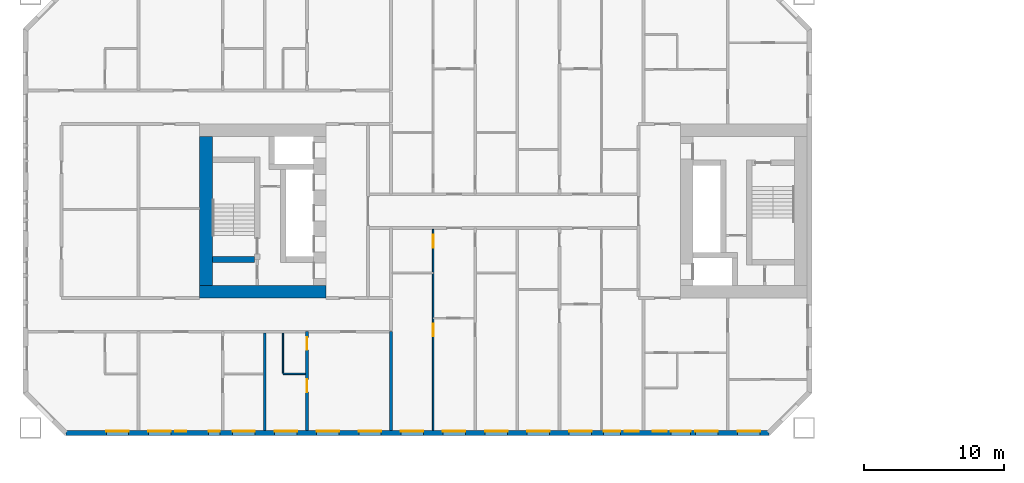
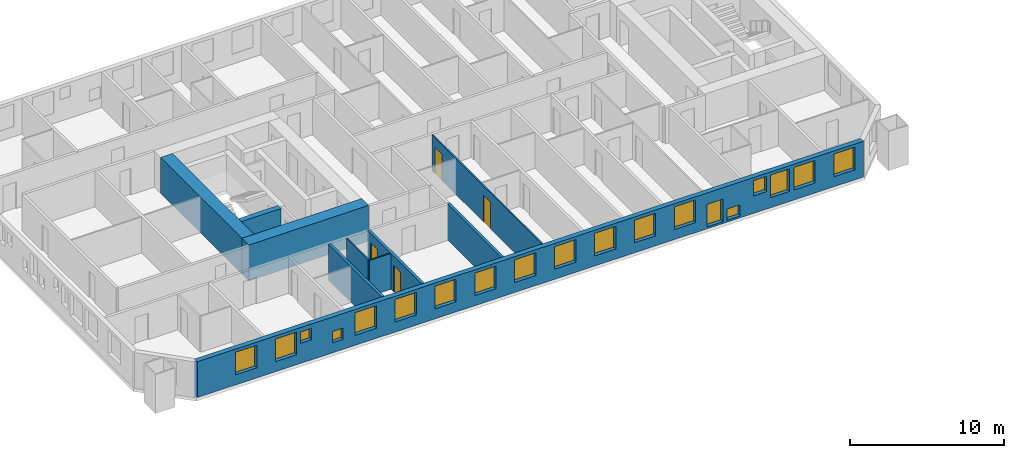
# One storey, part 3 of 17: 19 windows, 10 walls, 4 doors, 23 openings.
"""IFC4 building model written with IfcOpenShell, lengths in metres."""

import ifcopenshell
import ifcopenshell.guid

model = None  # the IFC model being written
_history = None  # IfcOwnerHistory: only IFC2X3 demands one
_inside = {}  # id of a spatial element -> (the spatial element, [elements in it])
_under = {}  # id of a project, library or spatial element -> (it, [spatial elements below it])
_declared = {}  # id of a project -> (the project, [libraries it declares])
_typed = {}  # id of a type object -> (the type object, [elements of that type])
_made_of = {}  # id of a material, layer set ... -> (it, [elements and type objects made of it])


def new_model(schema):
    """Start an empty IFC model of exactly this schema.

    Asked for "IFC4X3", IfcOpenShell would pick the latest addendum, in which some entities
    have other attributes; the version numbers below select the first issue.
    IFC2X3 requires an IfcOwnerHistory on every rooted entity: one is made here for all.
    """
    global model, _history
    if schema == "IFC4X3":
        model = ifcopenshell.file(schema_version=(4, 3, 0, 0))
    else:
        model = ifcopenshell.file(schema=schema)
    _inside.clear()
    _under.clear()
    _declared.clear()
    _typed.clear()
    _made_of.clear()
    _history = None
    if model.schema == "IFC2X3":
        org = make("IfcOrganization", Name="unknown")
        user = make(
            "IfcPersonAndOrganization",
            ThePerson=make("IfcPerson", FamilyName="unknown"),
            TheOrganization=org,
        )
        app = make(
            "IfcApplication",
            ApplicationDeveloper=org,
            Version="unknown",
            ApplicationFullName="unknown",
            ApplicationIdentifier="unknown",
        )
        _history = make(
            "IfcOwnerHistory",
            OwningUser=user,
            OwningApplication=app,
            ChangeAction="ADDED",
            CreationDate=0,
        )
    return model


def make(cls, **values):
    """One entity of the class cls with the attributes given. An attribute that is None is left unset."""
    return model.create_entity(
        cls, **{name: value for name, value in values.items() if value is not None}
    )


def rooted(cls, **values):
    """An entity with a GlobalId (a new one), such as an element, a storey or a relation."""
    return make(cls, GlobalId=ifcopenshell.guid.new(), OwnerHistory=_history, **values)


def si_unit(unit_type, name, prefix=None):
    """IfcSIUnit, for example si_unit("LENGTHUNIT", "METRE", prefix="MILLI")."""
    return make("IfcSIUnit", UnitType=unit_type, Prefix=prefix, Name=name)


def assignment(units):
    """IfcUnitAssignment: the units of a project."""
    return None if units is None else make("IfcUnitAssignment", Units=units)


def point(xyz):
    """IfcCartesianPoint."""
    return None if xyz is None else make("IfcCartesianPoint", Coordinates=xyz)


def direction(xyz):
    """IfcDirection."""
    return None if xyz is None else make("IfcDirection", DirectionRatios=xyz)


def frame(location, z_axis=None, x_axis=None):
    """IfcAxis2Placement3D, a coordinate frame: its origin and axes. An axis left out is left unset."""
    return make(
        "IfcAxis2Placement3D",
        Location=point(location),
        Axis=direction(z_axis),
        RefDirection=direction(x_axis),
    )


def frame_2d(location, x_axis=None):
    """IfcAxis2Placement2D, a coordinate frame in the plane: its origin and x axis."""
    return make(
        "IfcAxis2Placement2D", Location=point(location), RefDirection=direction(x_axis)
    )


def origin():
    """The frame at (0, 0, 0) with its axes left unset."""
    return frame((0.0, 0.0, 0.0))


def place(relative_to, where):
    """IfcLocalPlacement: puts the frame where relative to a parent placement (None: the world)."""
    return make(
        "IfcLocalPlacement", PlacementRelTo=relative_to, RelativePlacement=where
    )


def context(
    kind, dimensions, precision=None, world=None, true_north=None, identifier=None
):
    """IfcGeometricRepresentationContext, for example the 3D "Model" context."""
    return make(
        "IfcGeometricRepresentationContext",
        ContextIdentifier=identifier,
        ContextType=kind,
        CoordinateSpaceDimension=dimensions,
        Precision=precision,
        WorldCoordinateSystem=world,
        TrueNorth=true_north,
    )


def subcontext(parent, identifier, kind, view, scale=None):
    """IfcGeometricRepresentationSubContext, for example "Body" below "Model"."""
    return make(
        "IfcGeometricRepresentationSubContext",
        ContextIdentifier=identifier,
        ContextType=kind,
        ParentContext=parent,
        TargetScale=scale,
        TargetView=view,
    )


def project(units=None, contexts=None):
    """IfcProject with its units and contexts."""
    return rooted(
        "IfcProject",
        Name="project",
        RepresentationContexts=contexts,
        UnitsInContext=assignment(units),
    )


def spatial(cls, under=None, at=None, **own):
    """A site, building, storey or space (cls), placed at a placement, below another one or the project."""
    s = rooted(cls, ObjectPlacement=at, **own)
    if under is not None:
        _under.setdefault(under.id(), (under, []))[1].append(s)
    return s


def profile(cls, at=None, kind="AREA", **sizes):
    """A parametric profile (cls). Its sizes go by their IFC names, for example OverallWidth=200.0."""
    return make(cls, ProfileType=kind, Position=at, **sizes)


def rectangle(**sizes):
    """IfcRectangleProfileDef."""
    return profile("IfcRectangleProfileDef", **sizes)


def extrude(swept, where, along, depth):
    """IfcExtrudedAreaSolid: the profile swept, set in the frame where, extruded along a direction by depth."""
    return make(
        "IfcExtrudedAreaSolid",
        SweptArea=swept,
        Position=where,
        ExtrudedDirection=direction(along),
        Depth=depth,
    )


def shape(context_of_items, identifier, shape_type, items):
    """IfcShapeRepresentation: the items that make up one representation, for example the "Body"."""
    return make(
        "IfcShapeRepresentation",
        ContextOfItems=context_of_items,
        RepresentationIdentifier=identifier,
        RepresentationType=shape_type,
        Items=items,
    )


def material(Name=None, Category=None):
    """IfcMaterial."""
    return make("IfcMaterial", Name=Name, Category=Category)


def layer(
    of_material, thickness, ventilated=None, Name=None, Category=None, Priority=None
):
    """IfcMaterialLayer: one layer of a wall or slab, of a material (None: an air gap)."""
    return make(
        "IfcMaterialLayer",
        Material=of_material,
        LayerThickness=thickness,
        IsVentilated=ventilated,
        Name=Name,
        Category=Category,
        Priority=Priority,
    )


def layer_set(layers, Name=None):
    """IfcMaterialLayerSet."""
    return make("IfcMaterialLayerSet", MaterialLayers=layers, LayerSetName=Name)


def made_of(thing, what):
    """Note that an element or type object is made of a material, layer set ...; save() writes the relation."""
    if what is not None:
        _made_of.setdefault(what.id(), (what, []))[1].append(thing)
    return thing


def type_object(cls, material=None, **own):
    """A type object (cls), such as IfcWallType, which elements share."""
    return made_of(rooted(cls, **own), material)


def element(
    cls,
    number,
    at=None,
    inside=None,
    cuts=None,
    type_object=None,
    material=None,
    context=None,
    identifier="Body",
    shape_type=None,
    held_by="IfcProductDefinitionShape",
    body=None,
    shapes=None,
    **own,
):
    """One element of the class cls, such as IfcWall. Its Tag is "e" and its number.

    at: its placement. inside: the storey or other place that contains it. cuts: it is an
    opening in that element (IfcRelVoidsElement). A single representation is given by context,
    identifier, shape_type and body (its items); several are given by shapes. held_by: the class
    of the entity that holds the representations. save() writes the other relations.
    """
    e = rooted(cls, Tag="e%d" % number, ObjectPlacement=at, **own)
    if body is not None:
        shapes = [shape(context, identifier, shape_type, body)]
    if shapes is not None:
        e.Representation = make(held_by, Representations=shapes)
    if inside is not None:
        _inside.setdefault(inside.id(), (inside, []))[1].append(e)
    if cuts is not None:
        rooted(
            "IfcRelVoidsElement", RelatingBuildingElement=cuts, RelatedOpeningElement=e
        )
    if type_object is not None:
        _typed.setdefault(type_object.id(), (type_object, []))[1].append(e)
    return made_of(e, material)


def fill(opening, filler):
    """IfcRelFillsElement: the door or window that sits in an opening."""
    return rooted(
        "IfcRelFillsElement",
        RelatingOpeningElement=opening,
        RelatedBuildingElement=filler,
    )


def aggregate(whole, parts):
    """IfcRelAggregates: a whole, such as a stair, and the parts it consists of."""
    return rooted("IfcRelAggregates", RelatingObject=whole, RelatedObjects=parts)


def save(model, path):
    """Write the relations noted so far, then the file.

    IfcRelAggregates (storeys below a building ...), IfcRelContainedInSpatialStructure (elements
    in a storey), IfcRelDefinesByType, IfcRelAssociatesMaterial and IfcRelDeclares: one each for
    every whole, place, type object, material and project.
    """
    for whole, parts in _under.values():
        aggregate(whole, parts)
    for where, things in _inside.values():
        rooted(
            "IfcRelContainedInSpatialStructure",
            RelatedElements=things,
            RelatingStructure=where,
        )
    for kind, things in _typed.values():
        rooted("IfcRelDefinesByType", RelatedObjects=things, RelatingType=kind)
    for what, things in _made_of.values():
        rooted("IfcRelAssociatesMaterial", RelatedObjects=things, RelatingMaterial=what)
    for by, libraries in _declared.values():
        rooted("IfcRelDeclares", RelatingContext=by, RelatedDefinitions=libraries)
    model.write(path)


model = new_model("IFC4")

# Units and contexts
model_context = context("Model", 3, precision=1e-05, world=origin(), true_north=direction((0.0, 1.0)))
body_context = subcontext(model_context, "Body", "Model", "MODEL_VIEW")
ifc_project = project(units=[si_unit("LENGTHUNIT", "METRE"), si_unit("AREAUNIT", "SQUARE_METRE"), si_unit("VOLUMEUNIT", "CUBIC_METRE"), si_unit("PLANEANGLEUNIT", "RADIAN"), si_unit("MASSUNIT", "GRAM", prefix="KILO")], contexts=[model_context])

# Site, building, storey
site_placement = place(None, origin())
site = spatial("IfcSite", under=ifc_project, at=site_placement, CompositionType="ELEMENT")
building_placement = place(site_placement, origin())
building = spatial("IfcBuilding", under=site, at=building_placement, Name="Tuart Gate Housing", CompositionType="ELEMENT")
storey_placement = place(building_placement, frame((0.0, 0.0, 25.699951171875)))
storey = spatial("IfcBuildingStorey", under=building, at=storey_placement, Name="L06", CompositionType="ELEMENT", Elevation=25.699951171875)

# Wall, openings, windows
ifc_material_1 = material(Name="Brick", Category="masonry")
ifc_layer_1 = layer(ifc_material_1, 0.360107421875)
ifc_layer_set_1 = layer_set([ifc_layer_1], Name="Brick pier and spandrel wall 360")
wall_type_1 = type_object("IfcWallType", Name="Brick pier and spandrel wall 360", PredefinedType="STANDARD", material=ifc_layer_set_1)
wall_1_placement = place(storey_placement, frame((22.82470703125, 54.179931640625, 0.0), z_axis=(0.0, 0.0, 1.0), x_axis=(1.0, 0.0, 0.0)))
wall_1 = element("IfcWall", 1, at=wall_1_placement, inside=storey, type_object=wall_type_1, Name="External wall A-S L06", PredefinedType="STANDARD", context=body_context, shape_type="SweptSolid", body=[
    extrude(rectangle(XDim=50.100830078125, YDim=0.360107421875, at=frame_2d((25.05029296875, 0.0))), origin(), (0.0, 0.0, 1.0), 2.85009765625),
])
opening_1_placement = place(wall_1_placement, frame((2.87548828125, 0.0, 0.800048828125)))
opening_1 = element("IfcOpeningElement", 2, at=opening_1_placement, cuts=wall_1, Name="Opening W1", PredefinedType="OPENING", context=body_context, shape_type="SweptSolid", body=[
    extrude(rectangle(XDim=1.60009765625, YDim=1.800048828125, at=frame_2d((0.800048828125, 0.89990234375))), frame((0.0, 0.18994140625, 0.0), z_axis=(0.0, -1.0, 0.0), x_axis=(1.0, 0.0, 0.0)), (0.0, 0.0, 1.0), 0.380126953125),
])
opening_2_placement = place(wall_1_placement, frame((5.87548828125, 0.0, 0.800048828125)))
opening_2 = element("IfcOpeningElement", 3, at=opening_2_placement, cuts=wall_1, Name="Opening W1", PredefinedType="OPENING", context=body_context, shape_type="SweptSolid", body=[
    extrude(rectangle(XDim=1.60009765625, YDim=1.800048828125, at=frame_2d((0.800048828125, 0.89990234375))), frame((0.0, 0.18994140625, 0.0), z_axis=(0.0, -1.0, 0.0), x_axis=(1.0, 0.0, 0.0)), (0.0, 0.0, 1.0), 0.380126953125),
])
opening_3_placement = place(wall_1_placement, frame((7.775390625, 0.0, 1.60009765625)))
opening_3 = element("IfcOpeningElement", 4, at=opening_3_placement, cuts=wall_1, Name="Opening W1V", PredefinedType="OPENING", context=body_context, shape_type="SweptSolid", body=[
    extrude(rectangle(XDim=0.800048828125, YDim=0.89990234375, at=frame_2d((0.39990234375, 0.449951171875))), frame((0.0, 0.18994140625, 0.0), z_axis=(0.0, -1.0, 0.0), x_axis=(1.0, 0.0, 0.0)), (0.0, 0.0, 1.0), 0.380126953125),
])
opening_4_placement = place(wall_1_placement, frame((11.87548828125, 0.0, 0.800048828125)))
opening_4 = element("IfcOpeningElement", 5, at=opening_4_placement, cuts=wall_1, Name="Opening W1", PredefinedType="OPENING", context=body_context, shape_type="SweptSolid", body=[
    extrude(rectangle(XDim=1.60009765625, YDim=1.800048828125, at=frame_2d((0.800048828125, 0.89990234375))), frame((0.0, 0.18994140625, 0.0), z_axis=(0.0, -1.0, 0.0), x_axis=(1.0, 0.0, 0.0)), (0.0, 0.0, 1.0), 0.380126953125),
])
opening_5_placement = place(wall_1_placement, frame((14.87548828125, 0.0, 0.800048828125)))
opening_5 = element("IfcOpeningElement", 6, at=opening_5_placement, cuts=wall_1, Name="Opening W1", PredefinedType="OPENING", context=body_context, shape_type="SweptSolid", body=[
    extrude(rectangle(XDim=1.60009765625, YDim=1.800048828125, at=frame_2d((0.800048828125, 0.89990234375))), frame((0.0, 0.18994140625, 0.0), z_axis=(0.0, -1.0, 0.0), x_axis=(1.0, 0.0, 0.0)), (0.0, 0.0, 1.0), 0.380126953125),
])
opening_6_placement = place(wall_1_placement, frame((17.87548828125, 0.0, 0.800048828125)))
opening_6 = element("IfcOpeningElement", 7, at=opening_6_placement, cuts=wall_1, Name="Opening W1", PredefinedType="OPENING", context=body_context, shape_type="SweptSolid", body=[
    extrude(rectangle(XDim=1.60009765625, YDim=1.800048828125, at=frame_2d((0.800048828125, 0.89990234375))), frame((0.0, 0.18994140625, 0.0), z_axis=(0.0, -1.0, 0.0), x_axis=(1.0, 0.0, 0.0)), (0.0, 0.0, 1.0), 0.380126953125),
])
opening_7_placement = place(wall_1_placement, frame((20.87548828125, 0.0, 0.800048828125)))
opening_7 = element("IfcOpeningElement", 8, at=opening_7_placement, cuts=wall_1, Name="Opening W1", PredefinedType="OPENING", context=body_context, shape_type="SweptSolid", body=[
    extrude(rectangle(XDim=1.60009765625, YDim=1.800048828125, at=frame_2d((0.800048828125, 0.89990234375))), frame((0.0, 0.18994140625, 0.0), z_axis=(0.0, -1.0, 0.0), x_axis=(1.0, 0.0, 0.0)), (0.0, 0.0, 1.0), 0.380126953125),
])
opening_8_placement = place(wall_1_placement, frame((23.87548828125, 0.0, 0.800048828125)))
opening_8 = element("IfcOpeningElement", 9, at=opening_8_placement, cuts=wall_1, Name="Opening W1", PredefinedType="OPENING", context=body_context, shape_type="SweptSolid", body=[
    extrude(rectangle(XDim=1.60009765625, YDim=1.800048828125, at=frame_2d((0.800048828125, 0.89990234375))), frame((0.0, 0.18994140625, 0.0), z_axis=(0.0, -1.0, 0.0), x_axis=(1.0, 0.0, 0.0)), (0.0, 0.0, 1.0), 0.380126953125),
])
opening_9_placement = place(wall_1_placement, frame((26.87548828125, 0.0, 0.800048828125)))
opening_9 = element("IfcOpeningElement", 10, at=opening_9_placement, cuts=wall_1, Name="Opening W1", PredefinedType="OPENING", context=body_context, shape_type="SweptSolid", body=[
    extrude(rectangle(XDim=1.60009765625, YDim=1.800048828125, at=frame_2d((0.800048828125, 0.89990234375))), frame((0.0, 0.18994140625, 0.0), z_axis=(0.0, -1.0, 0.0), x_axis=(1.0, 0.0, 0.0)), (0.0, 0.0, 1.0), 0.380126953125),
])
opening_10_placement = place(wall_1_placement, frame((29.87548828125, 0.0, 0.800048828125)))
opening_10 = element("IfcOpeningElement", 11, at=opening_10_placement, cuts=wall_1, Name="Opening W1", PredefinedType="OPENING", context=body_context, shape_type="SweptSolid", body=[
    extrude(rectangle(XDim=1.60009765625, YDim=1.800048828125, at=frame_2d((0.800048828125, 0.89990234375))), frame((0.0, 0.18994140625, 0.0), z_axis=(0.0, -1.0, 0.0), x_axis=(1.0, 0.0, 0.0)), (0.0, 0.0, 1.0), 0.380126953125),
])
opening_11_placement = place(wall_1_placement, frame((32.87548828125, 0.0, 0.800048828125)))
opening_11 = element("IfcOpeningElement", 12, at=opening_11_placement, cuts=wall_1, Name="Opening W1", PredefinedType="OPENING", context=body_context, shape_type="SweptSolid", body=[
    extrude(rectangle(XDim=1.60009765625, YDim=1.800048828125, at=frame_2d((0.800048828125, 0.89990234375))), frame((0.0, 0.18994140625, 0.0), z_axis=(0.0, -1.0, 0.0), x_axis=(1.0, 0.0, 0.0)), (0.0, 0.0, 1.0), 0.380126953125),
])
opening_12_placement = place(wall_1_placement, frame((35.87548828125, 0.0, 0.800048828125)))
opening_12 = element("IfcOpeningElement", 13, at=opening_12_placement, cuts=wall_1, Name="Opening W1", PredefinedType="OPENING", context=body_context, shape_type="SweptSolid", body=[
    extrude(rectangle(XDim=1.60009765625, YDim=1.800048828125, at=frame_2d((0.800048828125, 0.89990234375))), frame((0.0, 0.18994140625, 0.0), z_axis=(0.0, -1.0, 0.0), x_axis=(1.0, 0.0, 0.0)), (0.0, 0.0, 1.0), 0.380126953125),
])
opening_13_placement = place(wall_1_placement, frame((38.325439453125, 0.0, 0.14990234375)))
opening_13 = element("IfcOpeningElement", 14, at=opening_13_placement, cuts=wall_1, Name="Opening W1B", PredefinedType="OPENING", context=body_context, shape_type="SweptSolid", body=[
    extrude(rectangle(XDim=1.199951171875, YDim=1.800048828125, at=frame_2d((0.60009765625, 0.89990234375))), frame((0.0, 0.18994140625, 0.0), z_axis=(0.0, -1.0, 0.0), x_axis=(1.0, 0.0, 0.0)), (0.0, 0.0, 1.0), 0.380126953125),
])
opening_14_placement = place(wall_1_placement, frame((41.825439453125, 0.0, 1.39990234375)))
opening_14 = element("IfcOpeningElement", 15, at=opening_14_placement, cuts=wall_1, Name="Opening W1O", PredefinedType="OPENING", context=body_context, shape_type="SweptSolid", body=[
    extrude(rectangle(XDim=1.0, YDim=1.199951171875, at=frame_2d((0.5, 0.60009765625))), frame((0.0, 0.18994140625, 0.0), z_axis=(0.0, -1.0, 0.0), x_axis=(1.0, 0.0, 0.0)), (0.0, 0.0, 1.0), 0.380126953125),
])
opening_15_placement = place(wall_1_placement, frame((44.87548828125, 0.0, 0.800048828125)))
opening_15 = element("IfcOpeningElement", 16, at=opening_15_placement, cuts=wall_1, Name="Opening W1", PredefinedType="OPENING", context=body_context, shape_type="SweptSolid", body=[
    extrude(rectangle(XDim=1.60009765625, YDim=1.800048828125, at=frame_2d((0.800048828125, 0.89990234375))), frame((0.0, 0.18994140625, 0.0), z_axis=(0.0, -1.0, 0.0), x_axis=(1.0, 0.0, 0.0)), (0.0, 0.0, 1.0), 0.380126953125),
])
opening_16_placement = place(wall_1_placement, frame((47.87548828125, 0.0, 0.800048828125)))
opening_16 = element("IfcOpeningElement", 17, at=opening_16_placement, cuts=wall_1, Name="Opening W1", PredefinedType="OPENING", context=body_context, shape_type="SweptSolid", body=[
    extrude(rectangle(XDim=1.60009765625, YDim=1.800048828125, at=frame_2d((0.800048828125, 0.89990234375))), frame((0.0, 0.18994140625, 0.0), z_axis=(0.0, -1.0, 0.0), x_axis=(1.0, 0.0, 0.0)), (0.0, 0.0, 1.0), 0.380126953125),
])
opening_17_placement = place(wall_1_placement, frame((10.17529296875, 0.0, 0.800048828125)))
opening_17 = element("IfcOpeningElement", 18, at=opening_17_placement, cuts=wall_1, Name="Opening W1V", PredefinedType="OPENING", context=body_context, shape_type="SweptSolid", body=[
    extrude(rectangle(XDim=0.800048828125, YDim=0.89990234375, at=frame_2d((0.39990234375, 0.449951171875))), frame((0.0, 0.18994140625, 0.0), z_axis=(0.0, -1.0, 0.0), x_axis=(1.0, 0.0, 0.0)), (0.0, 0.0, 1.0), 0.380126953125),
])
opening_18_placement = place(wall_1_placement, frame((39.825439453125, 0.0, 0.14990234375)))
opening_18 = element("IfcOpeningElement", 19, at=opening_18_placement, cuts=wall_1, Name="Opening W1U", PredefinedType="OPENING", context=body_context, shape_type="SweptSolid", body=[
    extrude(rectangle(XDim=1.0, YDim=0.89990234375, at=frame_2d((0.5, 0.449951171875))), frame((0.0, 0.18994140625, 0.0), z_axis=(0.0, -1.0, 0.0), x_axis=(1.0, 0.0, 0.0)), (0.0, 0.0, 1.0), 0.380126953125),
])
opening_19_placement = place(wall_1_placement, frame((43.12548828125, 0.0, 0.800048828125)))
opening_19 = element("IfcOpeningElement", 20, at=opening_19_placement, cuts=wall_1, Name="Opening W1A", PredefinedType="OPENING", context=body_context, shape_type="SweptSolid", body=[
    extrude(rectangle(XDim=1.39990234375, YDim=1.800048828125, at=frame_2d((0.699951171875, 0.89990234375))), frame((0.0, 0.18994140625, 0.0), z_axis=(0.0, -1.0, 0.0), x_axis=(1.0, 0.0, 0.0)), (0.0, 0.0, 1.0), 0.380126953125),
])
ifc_material_2 = material(Name="Aluminium frame with clear glass", Category="aluminium")
window_type_1 = type_object("IfcWindowType", Name="Punched window 1000 x 1200", PartitioningType="SINGLE_PANEL", PredefinedType="WINDOW", material=ifc_material_2)
window_1_placement = place(opening_14_placement, origin())
window_1 = element("IfcWindow", 21, at=window_1_placement, inside=storey, type_object=window_type_1, Name="Window W1O", OverallHeight=1.199951171875, OverallWidth=1.0, PartitioningType="SINGLE_PANEL", PredefinedType="WINDOW", context=body_context, shape_type="SweptSolid", body=[
    extrude(rectangle(XDim=1.0, YDim=1.199951171875, at=frame_2d((0.5, 0.60009765625))), frame((0.0, 0.150146484375, 0.0), z_axis=(0.0, -1.0, 0.0), x_axis=(1.0, 0.0, 0.0)), (0.0, 0.0, 1.0), 0.06005859375),
])
fill(opening_14, window_1)
ifc_material_3 = material(Name="Aluminium frame with clear glass", Category="aluminium")
window_type_2 = type_object("IfcWindowType", Name="Punched window 1000 x 900", PartitioningType="SINGLE_PANEL", PredefinedType="WINDOW", material=ifc_material_3)
window_2_placement = place(opening_18_placement, origin())
window_2 = element("IfcWindow", 22, at=window_2_placement, inside=storey, type_object=window_type_2, Name="Window W1U", OverallHeight=0.89990234375, OverallWidth=1.0, PartitioningType="SINGLE_PANEL", PredefinedType="WINDOW", context=body_context, shape_type="SweptSolid", body=[
    extrude(rectangle(XDim=1.0, YDim=0.89990234375, at=frame_2d((0.5, 0.449951171875))), frame((0.0, 0.150146484375, 0.0), z_axis=(0.0, -1.0, 0.0), x_axis=(1.0, 0.0, 0.0)), (0.0, 0.0, 1.0), 0.06005859375),
])
fill(opening_18, window_2)
ifc_material_4 = material(Name="Aluminium frame with clear glass", Category="aluminium")
window_type_3 = type_object("IfcWindowType", Name="Punched window 1200 x 1800", PartitioningType="SINGLE_PANEL", PredefinedType="WINDOW", material=ifc_material_4)
window_3_placement = place(opening_13_placement, origin())
window_3 = element("IfcWindow", 23, at=window_3_placement, inside=storey, type_object=window_type_3, Name="Window W1B", OverallHeight=1.800048828125, OverallWidth=1.199951171875, PartitioningType="SINGLE_PANEL", PredefinedType="WINDOW", context=body_context, shape_type="SweptSolid", body=[
    extrude(rectangle(XDim=1.199951171875, YDim=1.800048828125, at=frame_2d((0.60009765625, 0.89990234375))), frame((0.0, 0.150146484375, 0.0), z_axis=(0.0, -1.0, 0.0), x_axis=(1.0, 0.0, 0.0)), (0.0, 0.0, 1.0), 0.06005859375),
])
fill(opening_13, window_3)
ifc_material_5 = material(Name="Aluminium frame with clear glass", Category="aluminium")
window_type_4 = type_object("IfcWindowType", Name="Punched window 1400 x 1800", PartitioningType="SINGLE_PANEL", PredefinedType="WINDOW", material=ifc_material_5)
window_4_placement = place(opening_19_placement, origin())
window_4 = element("IfcWindow", 24, at=window_4_placement, inside=storey, type_object=window_type_4, Name="Window W1A", OverallHeight=1.800048828125, OverallWidth=1.39990234375, PartitioningType="SINGLE_PANEL", PredefinedType="WINDOW", context=body_context, shape_type="SweptSolid", body=[
    extrude(rectangle(XDim=1.39990234375, YDim=1.800048828125, at=frame_2d((0.699951171875, 0.89990234375))), frame((0.0, 0.150146484375, 0.0), z_axis=(0.0, -1.0, 0.0), x_axis=(1.0, 0.0, 0.0)), (0.0, 0.0, 1.0), 0.06005859375),
])
fill(opening_19, window_4)
ifc_material_6 = material(Name="Aluminium frame with clear glass", Category="aluminium")
window_type_5 = type_object("IfcWindowType", Name="Punched window 1600 x 1800", PartitioningType="SINGLE_PANEL", PredefinedType="WINDOW", material=ifc_material_6)
window_5_placement = place(opening_1_placement, origin())
window_5 = element("IfcWindow", 25, at=window_5_placement, inside=storey, type_object=window_type_5, Name="Window W1", OverallHeight=1.800048828125, OverallWidth=1.60009765625, PartitioningType="SINGLE_PANEL", PredefinedType="WINDOW", context=body_context, shape_type="SweptSolid", body=[
    extrude(rectangle(XDim=1.60009765625, YDim=1.800048828125, at=frame_2d((0.800048828125, 0.89990234375))), frame((0.0, 0.150146484375, 0.0), z_axis=(0.0, -1.0, 0.0), x_axis=(1.0, 0.0, 0.0)), (0.0, 0.0, 1.0), 0.06005859375),
])
fill(opening_1, window_5)
window_6_placement = place(opening_2_placement, origin())
window_6 = element("IfcWindow", 26, at=window_6_placement, inside=storey, type_object=window_type_5, Name="Window W1", OverallHeight=1.800048828125, OverallWidth=1.60009765625, PartitioningType="SINGLE_PANEL", PredefinedType="WINDOW", context=body_context, shape_type="SweptSolid", body=[
    extrude(rectangle(XDim=1.60009765625, YDim=1.800048828125, at=frame_2d((0.800048828125, 0.89990234375))), frame((0.0, 0.150146484375, 0.0), z_axis=(0.0, -1.0, 0.0), x_axis=(1.0, 0.0, 0.0)), (0.0, 0.0, 1.0), 0.06005859375),
])
fill(opening_2, window_6)
window_7_placement = place(opening_4_placement, origin())
window_7 = element("IfcWindow", 27, at=window_7_placement, inside=storey, type_object=window_type_5, Name="Window W1", OverallHeight=1.800048828125, OverallWidth=1.60009765625, PartitioningType="SINGLE_PANEL", PredefinedType="WINDOW", context=body_context, shape_type="SweptSolid", body=[
    extrude(rectangle(XDim=1.60009765625, YDim=1.800048828125, at=frame_2d((0.800048828125, 0.89990234375))), frame((0.0, 0.150146484375, 0.0), z_axis=(0.0, -1.0, 0.0), x_axis=(1.0, 0.0, 0.0)), (0.0, 0.0, 1.0), 0.06005859375),
])
fill(opening_4, window_7)
window_8_placement = place(opening_5_placement, origin())
window_8 = element("IfcWindow", 28, at=window_8_placement, inside=storey, type_object=window_type_5, Name="Window W1", OverallHeight=1.800048828125, OverallWidth=1.60009765625, PartitioningType="SINGLE_PANEL", PredefinedType="WINDOW", context=body_context, shape_type="SweptSolid", body=[
    extrude(rectangle(XDim=1.60009765625, YDim=1.800048828125, at=frame_2d((0.800048828125, 0.89990234375))), frame((0.0, 0.150146484375, 0.0), z_axis=(0.0, -1.0, 0.0), x_axis=(1.0, 0.0, 0.0)), (0.0, 0.0, 1.0), 0.06005859375),
])
fill(opening_5, window_8)
window_9_placement = place(opening_6_placement, origin())
window_9 = element("IfcWindow", 29, at=window_9_placement, inside=storey, type_object=window_type_5, Name="Window W1", OverallHeight=1.800048828125, OverallWidth=1.60009765625, PartitioningType="SINGLE_PANEL", PredefinedType="WINDOW", context=body_context, shape_type="SweptSolid", body=[
    extrude(rectangle(XDim=1.60009765625, YDim=1.800048828125, at=frame_2d((0.800048828125, 0.89990234375))), frame((0.0, 0.150146484375, 0.0), z_axis=(0.0, -1.0, 0.0), x_axis=(1.0, 0.0, 0.0)), (0.0, 0.0, 1.0), 0.06005859375),
])
fill(opening_6, window_9)
window_10_placement = place(opening_7_placement, origin())
window_10 = element("IfcWindow", 30, at=window_10_placement, inside=storey, type_object=window_type_5, Name="Window W1", OverallHeight=1.800048828125, OverallWidth=1.60009765625, PartitioningType="SINGLE_PANEL", PredefinedType="WINDOW", context=body_context, shape_type="SweptSolid", body=[
    extrude(rectangle(XDim=1.60009765625, YDim=1.800048828125, at=frame_2d((0.800048828125, 0.89990234375))), frame((0.0, 0.150146484375, 0.0), z_axis=(0.0, -1.0, 0.0), x_axis=(1.0, 0.0, 0.0)), (0.0, 0.0, 1.0), 0.06005859375),
])
fill(opening_7, window_10)
window_11_placement = place(opening_8_placement, origin())
window_11 = element("IfcWindow", 31, at=window_11_placement, inside=storey, type_object=window_type_5, Name="Window W1", OverallHeight=1.800048828125, OverallWidth=1.60009765625, PartitioningType="SINGLE_PANEL", PredefinedType="WINDOW", context=body_context, shape_type="SweptSolid", body=[
    extrude(rectangle(XDim=1.60009765625, YDim=1.800048828125, at=frame_2d((0.800048828125, 0.89990234375))), frame((0.0, 0.150146484375, 0.0), z_axis=(0.0, -1.0, 0.0), x_axis=(1.0, 0.0, 0.0)), (0.0, 0.0, 1.0), 0.06005859375),
])
fill(opening_8, window_11)
window_12_placement = place(opening_9_placement, origin())
window_12 = element("IfcWindow", 32, at=window_12_placement, inside=storey, type_object=window_type_5, Name="Window W1", OverallHeight=1.800048828125, OverallWidth=1.60009765625, PartitioningType="SINGLE_PANEL", PredefinedType="WINDOW", context=body_context, shape_type="SweptSolid", body=[
    extrude(rectangle(XDim=1.60009765625, YDim=1.800048828125, at=frame_2d((0.800048828125, 0.89990234375))), frame((0.0, 0.150146484375, 0.0), z_axis=(0.0, -1.0, 0.0), x_axis=(1.0, 0.0, 0.0)), (0.0, 0.0, 1.0), 0.06005859375),
])
fill(opening_9, window_12)
window_13_placement = place(opening_10_placement, origin())
window_13 = element("IfcWindow", 33, at=window_13_placement, inside=storey, type_object=window_type_5, Name="Window W1", OverallHeight=1.800048828125, OverallWidth=1.60009765625, PartitioningType="SINGLE_PANEL", PredefinedType="WINDOW", context=body_context, shape_type="SweptSolid", body=[
    extrude(rectangle(XDim=1.60009765625, YDim=1.800048828125, at=frame_2d((0.800048828125, 0.89990234375))), frame((0.0, 0.150146484375, 0.0), z_axis=(0.0, -1.0, 0.0), x_axis=(1.0, 0.0, 0.0)), (0.0, 0.0, 1.0), 0.06005859375),
])
fill(opening_10, window_13)
window_14_placement = place(opening_11_placement, origin())
window_14 = element("IfcWindow", 34, at=window_14_placement, inside=storey, type_object=window_type_5, Name="Window W1", OverallHeight=1.800048828125, OverallWidth=1.60009765625, PartitioningType="SINGLE_PANEL", PredefinedType="WINDOW", context=body_context, shape_type="SweptSolid", body=[
    extrude(rectangle(XDim=1.60009765625, YDim=1.800048828125, at=frame_2d((0.800048828125, 0.89990234375))), frame((0.0, 0.150146484375, 0.0), z_axis=(0.0, -1.0, 0.0), x_axis=(1.0, 0.0, 0.0)), (0.0, 0.0, 1.0), 0.06005859375),
])
fill(opening_11, window_14)
window_15_placement = place(opening_12_placement, origin())
window_15 = element("IfcWindow", 35, at=window_15_placement, inside=storey, type_object=window_type_5, Name="Window W1", OverallHeight=1.800048828125, OverallWidth=1.60009765625, PartitioningType="SINGLE_PANEL", PredefinedType="WINDOW", context=body_context, shape_type="SweptSolid", body=[
    extrude(rectangle(XDim=1.60009765625, YDim=1.800048828125, at=frame_2d((0.800048828125, 0.89990234375))), frame((0.0, 0.150146484375, 0.0), z_axis=(0.0, -1.0, 0.0), x_axis=(1.0, 0.0, 0.0)), (0.0, 0.0, 1.0), 0.06005859375),
])
fill(opening_12, window_15)
window_16_placement = place(opening_15_placement, origin())
window_16 = element("IfcWindow", 36, at=window_16_placement, inside=storey, type_object=window_type_5, Name="Window W1", OverallHeight=1.800048828125, OverallWidth=1.60009765625, PartitioningType="SINGLE_PANEL", PredefinedType="WINDOW", context=body_context, shape_type="SweptSolid", body=[
    extrude(rectangle(XDim=1.60009765625, YDim=1.800048828125, at=frame_2d((0.800048828125, 0.89990234375))), frame((0.0, 0.150146484375, 0.0), z_axis=(0.0, -1.0, 0.0), x_axis=(1.0, 0.0, 0.0)), (0.0, 0.0, 1.0), 0.06005859375),
])
fill(opening_15, window_16)
window_17_placement = place(opening_16_placement, origin())
window_17 = element("IfcWindow", 37, at=window_17_placement, inside=storey, type_object=window_type_5, Name="Window W1", OverallHeight=1.800048828125, OverallWidth=1.60009765625, PartitioningType="SINGLE_PANEL", PredefinedType="WINDOW", context=body_context, shape_type="SweptSolid", body=[
    extrude(rectangle(XDim=1.60009765625, YDim=1.800048828125, at=frame_2d((0.800048828125, 0.89990234375))), frame((0.0, 0.150146484375, 0.0), z_axis=(0.0, -1.0, 0.0), x_axis=(1.0, 0.0, 0.0)), (0.0, 0.0, 1.0), 0.06005859375),
])
fill(opening_16, window_17)
ifc_material_7 = material(Name="Aluminium frame with clear glass", Category="aluminium")
window_type_6 = type_object("IfcWindowType", Name="Punched window 800 x 900", PartitioningType="SINGLE_PANEL", PredefinedType="WINDOW", material=ifc_material_7)
window_18_placement = place(opening_3_placement, origin())
window_18 = element("IfcWindow", 38, at=window_18_placement, inside=storey, type_object=window_type_6, Name="Window W1V", OverallHeight=0.89990234375, OverallWidth=0.800048828125, PartitioningType="SINGLE_PANEL", PredefinedType="WINDOW", context=body_context, shape_type="SweptSolid", body=[
    extrude(rectangle(XDim=0.800048828125, YDim=0.89990234375, at=frame_2d((0.39990234375, 0.449951171875))), frame((0.0, 0.150146484375, 0.0), z_axis=(0.0, -1.0, 0.0), x_axis=(1.0, 0.0, 0.0)), (0.0, 0.0, 1.0), 0.06005859375),
])
fill(opening_3, window_18)
window_19_placement = place(opening_17_placement, origin())
window_19 = element("IfcWindow", 39, at=window_19_placement, inside=storey, type_object=window_type_6, Name="Window W1V", OverallHeight=0.89990234375, OverallWidth=0.800048828125, PartitioningType="SINGLE_PANEL", PredefinedType="WINDOW", context=body_context, shape_type="SweptSolid", body=[
    extrude(rectangle(XDim=0.800048828125, YDim=0.89990234375, at=frame_2d((0.39990234375, 0.449951171875))), frame((0.0, 0.150146484375, 0.0), z_axis=(0.0, -1.0, 0.0), x_axis=(1.0, 0.0, 0.0)), (0.0, 0.0, 1.0), 0.06005859375),
])
fill(opening_17, window_19)

# Walls
ifc_material_8 = material(Name="Concrete C60", Category="concrete")
ifc_layer_2 = layer(ifc_material_8, 0.39990234375)
ifc_layer_set_2 = layer_set([ifc_layer_2], Name="Core wall 400 C60")
wall_type_2 = type_object("IfcWallType", Name="Core wall 400 C60", PredefinedType="SHEAR", material=ifc_layer_set_2)
wall_2_placement = place(storey_placement, frame((36.260009765625, 66.550048828125, 0.0), z_axis=(0.0, 0.0, 1.0), x_axis=(-1.0, 0.0, 0.0)))
element("IfcWall", 40, at=wall_2_placement, inside=storey, type_object=wall_type_2, Name="Core wall AK.5", PredefinedType="SHEAR", context=body_context, shape_type="SweptSolid", body=[
    extrude(rectangle(XDim=3.0, YDim=0.39990234375, at=frame_2d((1.5, 0.0))), origin(), (0.0, 0.0, 1.0), 2.85009765625),
])
ifc_material_9 = material(Name="Concrete C60", Category="concrete")
ifc_layer_3 = layer(ifc_material_9, 0.89990234375)
ifc_layer_set_3 = layer_set([ifc_layer_3], Name="Core wall 900 C60")
wall_type_3 = type_object("IfcWallType", Name="Core wall 900 C60", PredefinedType="SHEAR", material=ifc_layer_set_3)
wall_3_placement = place(storey_placement, frame((32.81005859375, 75.300048828125, 0.0), z_axis=(0.0, 0.0, 1.0), x_axis=(0.0, -1.0, 0.0)))
element("IfcWall", 41, at=wall_3_placement, inside=storey, type_object=wall_type_3, Name="Core wall AK back", PredefinedType="SHEAR", context=body_context, shape_type="SweptSolid", body=[
    extrude(rectangle(XDim=10.60009765625, YDim=0.89990234375, at=frame_2d((5.300048828125, 0.0))), origin(), (0.0, 0.0, 1.0), 2.85009765625),
])
wall_4_placement = place(storey_placement, frame((41.360107421875, 64.25, 0.0), z_axis=(0.0, 0.0, 1.0), x_axis=(-1.0, 0.0, 0.0)))
element("IfcWall", 42, at=wall_4_placement, inside=storey, type_object=wall_type_3, Name="Core wall AK north", PredefinedType="SHEAR", context=body_context, shape_type="SweptSolid", body=[
    extrude(rectangle(XDim=9.0, YDim=0.89990234375, at=frame_2d((4.5, 0.0))), origin(), (0.0, 0.0, 1.0), 2.85009765625),
])
ifc_material_10 = material(Name="Gypsum board on steel studs", Category="steel")
ifc_layer_4 = layer(ifc_material_10, 0.10009765625)
ifc_layer_set_4 = layer_set([ifc_layer_4], Name="Partition 100")
wall_type_4 = type_object("IfcWallType", Name="Partition 100", PredefinedType="PARTITIONING", material=ifc_layer_set_4)
wall_5_placement = place(storey_placement, frame((38.300048828125, 58.39990234375, 0.0), z_axis=(0.0, 0.0, 1.0), x_axis=(1.0, 0.0, 0.0)))
element("IfcWall", 43, at=wall_5_placement, inside=storey, type_object=wall_type_4, Name="Partition 100", PredefinedType="PARTITIONING", context=body_context, shape_type="SweptSolid", body=[
    extrude(rectangle(XDim=1.599853515625, YDim=0.10009765625, at=frame_2d((0.7998046875, 0.0))), origin(), (0.0, 0.0, 1.0), 2.85009765625),
])
wall_6_placement = place(storey_placement, frame((38.300048828125, 58.449951171875, 0.0), z_axis=(0.0, 0.0, 1.0), x_axis=(0.0, 1.0, 0.0)))
element("IfcWall", 44, at=wall_6_placement, inside=storey, type_object=wall_type_4, Name="Partition 100", PredefinedType="PARTITIONING", context=body_context, shape_type="SweptSolid", body=[
    extrude(rectangle(XDim=2.85009765625, YDim=0.10009765625, at=frame_2d((1.425048828125, 0.0))), origin(), (0.0, 0.0, 1.0), 2.85009765625),
])

# Wall, openings, doors
wall_7_placement = place(storey_placement, frame((49.0, 54.360107421875, 0.0), z_axis=(0.0, 0.0, 1.0), x_axis=(0.0, 1.0, 0.0)))
wall_7 = element("IfcWall", 45, at=wall_7_placement, inside=storey, type_object=wall_type_4, Name="Partition 100", PredefinedType="PARTITIONING", context=body_context, shape_type="SweptSolid", body=[
    extrude(rectangle(XDim=14.33984375, YDim=0.10009765625, at=frame_2d((7.169921875, 0.0))), origin(), (0.0, 0.0, 1.0), 2.85009765625),
])
opening_20_placement = place(wall_7_placement, frame((6.699951171875, 0.0, 0.0)))
opening_20 = element("IfcOpeningElement", 46, at=opening_20_placement, cuts=wall_7, Name="Opening D394", PredefinedType="OPENING", context=body_context, shape_type="SweptSolid", body=[
    extrude(rectangle(XDim=0.89990234375, YDim=2.10009765625, at=frame_2d((0.449951171875, 1.050048828125))), frame((0.0, 0.06005859375, 0.0), z_axis=(0.0, -1.0, 0.0), x_axis=(1.0, 0.0, 0.0)), (0.0, 0.0, 1.0), 0.1201171875),
])
opening_21_placement = place(wall_7_placement, frame((13.0400390625, 0.0, 0.0)))
opening_21 = element("IfcOpeningElement", 47, at=opening_21_placement, cuts=wall_7, Name="Opening D393", PredefinedType="OPENING", context=body_context, shape_type="SweptSolid", body=[
    extrude(rectangle(XDim=0.89990234375, YDim=2.10009765625, at=frame_2d((0.449951171875, 1.050048828125))), frame((0.0, 0.06005859375, 0.0), z_axis=(0.0, -1.0, 0.0), x_axis=(1.0, 0.0, 0.0)), (0.0, 0.0, 1.0), 0.1201171875),
])
ifc_material_11 = material(Name="Timber door leaf in steel frame", Category="steel")
door_type_1 = type_object("IfcDoorType", Name="Bathroom door 900 RH", OperationType="SINGLE_SWING_RIGHT", PredefinedType="DOOR", material=ifc_material_11)
door_1_placement = place(opening_21_placement, origin())
door_1 = element("IfcDoor", 48, at=door_1_placement, inside=storey, type_object=door_type_1, Name="Bathroom door", OperationType="SINGLE_SWING_RIGHT", OverallHeight=2.10009765625, OverallWidth=0.89990234375, PredefinedType="DOOR", context=body_context, shape_type="SweptSolid", body=[
    extrude(rectangle(XDim=0.89990234375, YDim=2.10009765625, at=frame_2d((0.449951171875, 1.050048828125))), frame((0.0, 0.02490234375, 0.0), z_axis=(0.0, -1.0, 0.0), x_axis=(1.0, 0.0, 0.0)), (0.0, 0.0, 1.0), 0.050048828125),
])
fill(opening_21, door_1)
ifc_material_12 = material(Name="Timber door leaf in steel frame", Category="steel")
door_type_2 = type_object("IfcDoorType", Name="Internal door 900 RH", OperationType="SINGLE_SWING_RIGHT", PredefinedType="DOOR", material=ifc_material_12)
door_2_placement = place(opening_20_placement, origin())
door_2 = element("IfcDoor", 49, at=door_2_placement, inside=storey, type_object=door_type_2, Name="Internal door", OperationType="SINGLE_SWING_RIGHT", OverallHeight=2.10009765625, OverallWidth=0.89990234375, PredefinedType="DOOR", context=body_context, shape_type="SweptSolid", body=[
    extrude(rectangle(XDim=0.89990234375, YDim=2.10009765625, at=frame_2d((0.449951171875, 1.050048828125))), frame((0.0, 0.02490234375, 0.0), z_axis=(0.0, -1.0, 0.0), x_axis=(1.0, 0.0, 0.0)), (0.0, 0.0, 1.0), 0.050048828125),
])
fill(opening_20, door_2)

ifc_material_13 = material(Name="Concrete C40", Category="concrete")
ifc_layer_5 = layer(ifc_material_13, 0.199951171875)
ifc_layer_set_5 = layer_set([ifc_layer_5], Name="Party wall concrete C40 200")
wall_type_5 = type_object("IfcWallType", Name="Party wall concrete C40 200", PredefinedType="SOLIDWALL", material=ifc_layer_set_5)
wall_8_placement = place(storey_placement, frame((40.0, 54.360107421875, 0.0), z_axis=(0.0, 0.0, 1.0), x_axis=(0.0, 1.0, 0.0)))
wall_8 = element("IfcWall", 50, at=wall_8_placement, inside=storey, type_object=wall_type_5, Name="Party wall concrete C40 200", PredefinedType="SOLIDWALL", context=body_context, shape_type="SweptSolid", body=[
    extrude(rectangle(XDim=7.039794921875, YDim=0.199951171875, at=frame_2d((3.52001953125, 0.0))), origin(), (0.0, 0.0, 1.0), 2.85009765625),
])
opening_22_placement = place(wall_8_placement, frame((2.739990234375, 0.0, 0.0)))
opening_22 = element("IfcOpeningElement", 51, at=opening_22_placement, cuts=wall_8, Name="Opening D408", PredefinedType="OPENING", context=body_context, shape_type="SweptSolid", body=[
    extrude(rectangle(XDim=0.89990234375, YDim=2.10009765625, at=frame_2d((0.449951171875, 1.050048828125))), frame((0.0, 0.10986328125, 0.0), z_axis=(0.0, -1.0, 0.0), x_axis=(1.0, 0.0, 0.0)), (0.0, 0.0, 1.0), 0.219970703125),
])
opening_23_placement = place(wall_8_placement, frame((5.739990234375, 0.0, 0.0)))
opening_23 = element("IfcOpeningElement", 52, at=opening_23_placement, cuts=wall_8, Name="Opening D407", PredefinedType="OPENING", context=body_context, shape_type="SweptSolid", body=[
    extrude(rectangle(XDim=0.89990234375, YDim=2.10009765625, at=frame_2d((0.449951171875, 1.050048828125))), frame((0.0, 0.10986328125, 0.0), z_axis=(0.0, -1.0, 0.0), x_axis=(1.0, 0.0, 0.0)), (0.0, 0.0, 1.0), 0.219970703125),
])
door_3_placement = place(opening_23_placement, origin())
door_3 = element("IfcDoor", 53, at=door_3_placement, inside=storey, type_object=door_type_1, Name="Bathroom door", OperationType="SINGLE_SWING_RIGHT", OverallHeight=2.10009765625, OverallWidth=0.89990234375, PredefinedType="DOOR", context=body_context, shape_type="SweptSolid", body=[
    extrude(rectangle(XDim=0.89990234375, YDim=2.10009765625, at=frame_2d((0.449951171875, 1.050048828125))), frame((0.0, 0.02490234375, 0.0), z_axis=(0.0, -1.0, 0.0), x_axis=(1.0, 0.0, 0.0)), (0.0, 0.0, 1.0), 0.050048828125),
])
fill(opening_23, door_3)
door_4_placement = place(opening_22_placement, origin())
door_4 = element("IfcDoor", 54, at=door_4_placement, inside=storey, type_object=door_type_2, Name="Internal door", OperationType="SINGLE_SWING_RIGHT", OverallHeight=2.10009765625, OverallWidth=0.89990234375, PredefinedType="DOOR", context=body_context, shape_type="SweptSolid", body=[
    extrude(rectangle(XDim=0.89990234375, YDim=2.10009765625, at=frame_2d((0.449951171875, 1.050048828125))), frame((0.0, 0.02490234375, 0.0), z_axis=(0.0, -1.0, 0.0), x_axis=(1.0, 0.0, 0.0)), (0.0, 0.0, 1.0), 0.050048828125),
])
fill(opening_22, door_4)

# Walls
wall_9_placement = place(storey_placement, frame((46.0, 54.360107421875, 0.0), z_axis=(0.0, 0.0, 1.0), x_axis=(0.0, 1.0, 0.0)))
element("IfcWall", 55, at=wall_9_placement, inside=storey, type_object=wall_type_5, Name="Party wall concrete C40 200", PredefinedType="SOLIDWALL", context=body_context, shape_type="SweptSolid", body=[
    extrude(rectangle(XDim=7.039794921875, YDim=0.199951171875, at=frame_2d((3.52001953125, 0.0))), origin(), (0.0, 0.0, 1.0), 2.85009765625),
])
ifc_material_14 = material(Name="Concrete masonry 15 MPa", Category="masonry")
ifc_layer_6 = layer(ifc_material_14, 0.199951171875)
ifc_layer_set_6 = layer_set([ifc_layer_6], Name="Party wall masonry 200")
wall_type_6 = type_object("IfcWallType", Name="Party wall masonry 200", PredefinedType="PARTITIONING", material=ifc_layer_set_6)
wall_10_placement = place(storey_placement, frame((37.0, 54.360107421875, 0.0), z_axis=(0.0, 0.0, 1.0), x_axis=(0.0, 1.0, 0.0)))
element("IfcWall", 56, at=wall_10_placement, inside=storey, type_object=wall_type_6, Name="Party wall masonry 200", PredefinedType="PARTITIONING", context=body_context, shape_type="SweptSolid", body=[
    extrude(rectangle(XDim=6.93994140625, YDim=0.199951171875, at=frame_2d((3.469970703125, 0.0))), origin(), (0.0, 0.0, 1.0), 2.85009765625),
])

save(model, "model.ifc")
